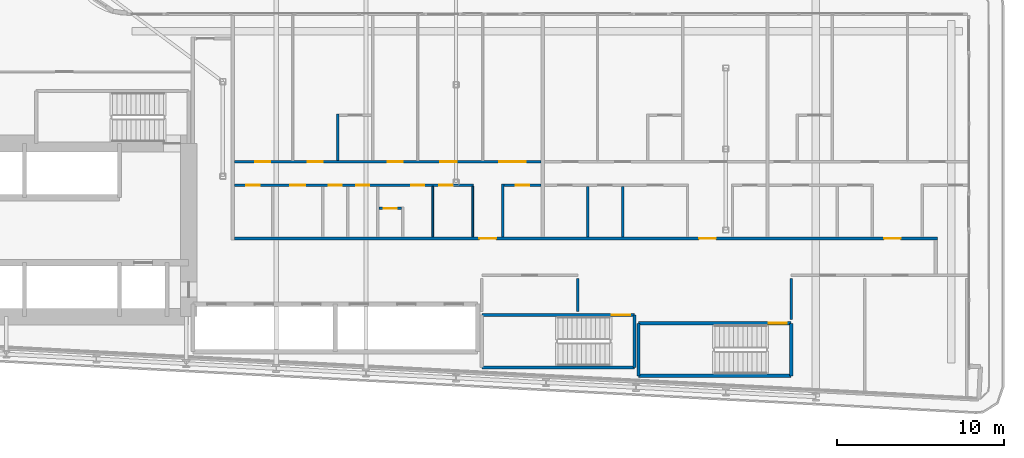
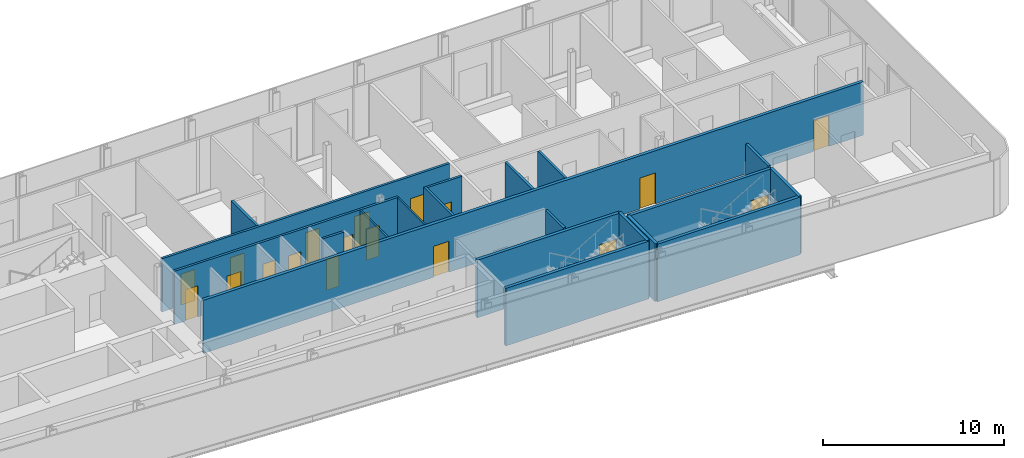
# One storey, part 16 of 29: 20 walls, 18 doors, 18 openings.
"""IFC4 building model written with IfcOpenShell, lengths in metres."""

from ifc_helpers import new_model, si_unit, direction, frame, frame_2d, origin, place, context, subcontext, project, spatial, rectangle, extrude, source, transform, mapped, material, layer, layer_set, type_object, element, fill, save


model = new_model("IFC4")

# Units and contexts
model_context = context("Model", 3, precision=1e-05, world=origin(), true_north=direction((0.0, 1.0)))
body_context = subcontext(model_context, "Body", "Model", "MODEL_VIEW")
ifc_project = project(units=[si_unit("LENGTHUNIT", "METRE"), si_unit("AREAUNIT", "SQUARE_METRE"), si_unit("VOLUMEUNIT", "CUBIC_METRE"), si_unit("PLANEANGLEUNIT", "RADIAN"), si_unit("MASSUNIT", "GRAM", prefix="KILO")], contexts=[model_context])

# Site, building, storey
site_placement = place(None, origin())
site = spatial("IfcSite", under=ifc_project, at=site_placement, CompositionType="ELEMENT")
building_placement = place(site_placement, origin())
building = spatial("IfcBuilding", under=site, at=building_placement, Name="Kheshtan School and Residences Tower", CompositionType="ELEMENT")
storey_placement = place(building_placement, frame((0.0, 0.0, 65.60009765625)))
storey = spatial("IfcBuildingStorey", under=building, at=storey_placement, Name="L15", CompositionType="ELEMENT", Elevation=65.60009765625)

# Wall, openings, doors
ifc_material_1 = material(Name="Gypsum board on steel studs with fire boards", Category="steel")
ifc_layer_1 = layer(ifc_material_1, 0.199951171875)
ifc_layer_set_1 = layer_set([ifc_layer_1], Name="Corridor wall 200")
wall_type_1 = type_object("IfcWallType", Name="Corridor wall 200", PredefinedType="PARTITIONING", material=ifc_layer_set_1)
wall_1_placement = place(storey_placement, frame((55.89990234375, 30.5, 0.0), z_axis=(0.0, 0.0, 1.0), x_axis=(1.0, 0.0, 0.0)))
wall_1 = element("IfcWall", 1, at=wall_1_placement, inside=storey, type_object=wall_type_1, Name="Partition L15-041", PredefinedType="PARTITIONING", context=body_context, shape_type="SweptSolid", body=[
    extrude(rectangle(XDim=42.2001953125, YDim=0.199951171875, at=frame_2d((21.10009765625, 0.0))), origin(), (0.0, 0.0, 1.0), 3.599853515625),
])
opening_1_placement = place(wall_1_placement, frame((14.699951171875, 0.0, 0.0)))
opening_1 = element("IfcOpeningElement", 2, at=opening_1_placement, cuts=wall_1, Name="Opening D14-007", PredefinedType="OPENING", context=body_context, shape_type="SweptSolid", body=[
    extrude(rectangle(XDim=1.0, YDim=2.10009765625, at=frame_2d((0.5, 1.050048828125))), frame((0.0, 0.10986328125, 0.0), z_axis=(0.0, -1.0, 0.0), x_axis=(1.0, 0.0, 0.0)), (0.0, 0.0, 1.0), 0.219970703125),
])
opening_2_placement = place(wall_1_placement, frame((27.89990234375, 0.0, 0.0)))
opening_2 = element("IfcOpeningElement", 3, at=opening_2_placement, cuts=wall_1, Name="Opening D14-019", PredefinedType="OPENING", context=body_context, shape_type="SweptSolid", body=[
    extrude(rectangle(XDim=1.0, YDim=2.10009765625, at=frame_2d((0.5, 1.050048828125))), frame((0.0, 0.10986328125, 0.0), z_axis=(0.0, -1.0, 0.0), x_axis=(1.0, 0.0, 0.0)), (0.0, 0.0, 1.0), 0.219970703125),
])
opening_3_placement = place(wall_1_placement, frame((39.0, 0.0, 0.0)))
opening_3 = element("IfcOpeningElement", 4, at=opening_3_placement, cuts=wall_1, Name="Opening D14-028", PredefinedType="OPENING", context=body_context, shape_type="SweptSolid", body=[
    extrude(rectangle(XDim=1.0, YDim=2.10009765625, at=frame_2d((0.5, 1.050048828125))), frame((0.0, 0.10986328125, 0.0), z_axis=(0.0, -1.0, 0.0), x_axis=(1.0, 0.0, 0.0)), (0.0, 0.0, 1.0), 0.219970703125),
])
ifc_material_2 = material(Name="Steel-framed fire-resisting door leaf", Category="steel")
door_type_1 = type_object("IfcDoorType", Name="Fire door FD30S 1000 x 2100", OperationType="SINGLE_SWING_LEFT", PredefinedType="DOOR", material=ifc_material_2)
shared_shape_1 = source(origin(), body_context, "Body", "SweptSolid", [
    extrude(rectangle(XDim=1.0, YDim=2.10009765625, at=frame_2d((0.5, 1.050048828125))), frame((0.0, 0.02490234375, 0.0), z_axis=(0.0, -1.0, 0.0), x_axis=(1.0, 0.0, 0.0)), (0.0, 0.0, 1.0), 0.050048828125),
])
door_1_placement = place(opening_1_placement, origin())
door_1 = element("IfcDoor", 5, at=door_1_placement, inside=storey, type_object=door_type_1, Name="Door D14-007", OperationType="SINGLE_SWING_LEFT", OverallHeight=2.10009765625, OverallWidth=1.0, PredefinedType="DOOR", context=body_context, shape_type="MappedRepresentation", body=[
    mapped(shared_shape_1, transform((0.0, 0.0, 0.0), x_axis=(1.0, 0.0, 0.0), y_axis=(0.0, 1.0, 0.0), z_axis=(0.0, 0.0, 1.0), scale=1.0)),
])
fill(opening_1, door_1)
door_2_placement = place(opening_2_placement, origin())
door_2 = element("IfcDoor", 6, at=door_2_placement, inside=storey, type_object=door_type_1, Name="Door D14-019", OperationType="SINGLE_SWING_LEFT", OverallHeight=2.10009765625, OverallWidth=1.0, PredefinedType="DOOR", context=body_context, shape_type="MappedRepresentation", body=[
    mapped(shared_shape_1, transform((0.0, 0.0, 0.0), x_axis=(1.0, 0.0, 0.0), y_axis=(0.0, 1.0, 0.0), z_axis=(0.0, 0.0, 1.0), scale=1.0)),
])
fill(opening_2, door_2)
door_3_placement = place(opening_3_placement, origin())
door_3 = element("IfcDoor", 7, at=door_3_placement, inside=storey, type_object=door_type_1, Name="Door D14-028", OperationType="SINGLE_SWING_LEFT", OverallHeight=2.10009765625, OverallWidth=1.0, PredefinedType="DOOR", context=body_context, shape_type="MappedRepresentation", body=[
    mapped(shared_shape_1, transform((0.0, 0.0, 0.0), x_axis=(1.0, 0.0, 0.0), y_axis=(0.0, 1.0, 0.0), z_axis=(0.0, 0.0, 1.0), scale=1.0)),
])
fill(opening_3, door_3)

# Walls
ifc_material_3 = material(Name="Gypsum board on steel studs", Category="steel")
ifc_layer_2 = layer(ifc_material_3, 0.10009765625)
ifc_layer_set_2 = layer_set([ifc_layer_2], Name="Gypsum partition 100")
wall_type_2 = type_object("IfcWallType", Name="Gypsum partition 100", PredefinedType="PARTITIONING", material=ifc_layer_set_2)
for number, where, z_axis, x_axis, name in (
    (8, (67.800048828125, 30.60009765625, 0.0), (0.0, 0.0, 1.0), (0.0, 1.0, 0.0), "Partition L15-055"),
    (9, (70.199951171875, 30.60009765625, 0.0), (0.0, 0.0, 1.0), (0.0, 1.0, 0.0), "Partition L15-056"),
):
    element("IfcWall", number, at=place(storey_placement, frame(where, z_axis=z_axis, x_axis=x_axis)), inside=storey, type_object=wall_type_2, Name=name, PredefinedType="PARTITIONING", context=body_context, shape_type="SweptSolid", body=[
        extrude(rectangle(XDim=3.02490234375, YDim=0.10009765625, at=frame_2d((1.512451171875, 0.0))), origin(), (0.0, 0.0, 1.0), 3.599853515625),
    ])
ifc_material_4 = material(Name="Fire-board shaft wall system")
ifc_layer_3 = layer(ifc_material_4, 0.14990234375)
ifc_layer_set_3 = layer_set([ifc_layer_3], Name="Service room wall 150")
wall_type_3 = type_object("IfcWallType", Name="Service room wall 150", PredefinedType="PARTITIONING", material=ifc_layer_set_3)
wall_2_placement = place(storey_placement, frame((76.510009765625, 26.1201171875, 0.0), z_axis=(0.0, 0.0, 1.0), x_axis=(0.0, 1.0, 0.0)))
element("IfcWall", 10, at=wall_2_placement, inside=storey, type_object=wall_type_3, Name="Service room wall", PredefinedType="PARTITIONING", context=body_context, shape_type="SweptSolid", body=[
    extrude(rectangle(XDim=1.98486328125, YDim=0.14990234375, at=frame_2d((0.992431640625, 0.0))), origin(), (0.0, 0.0, 1.0), 3.89990234375),
])
wall_3_placement = place(storey_placement, frame((89.320068359375, 25.6201171875, 0.0), z_axis=(0.0, 0.0, 1.0), x_axis=(0.0, 1.0, 0.0)))
element("IfcWall", 11, at=wall_3_placement, inside=storey, type_object=wall_type_3, Name="Service room wall", PredefinedType="PARTITIONING", context=body_context, shape_type="SweptSolid", body=[
    extrude(rectangle(XDim=2.48486328125, YDim=0.14990234375, at=frame_2d((1.242431640625, 0.0))), origin(), (0.0, 0.0, 1.0), 3.89990234375),
])
ifc_material_5 = material(Name="Concrete C40/50", Category="concrete")
ifc_layer_4 = layer(ifc_material_5, 0.199951171875)
ifc_layer_set_4 = layer_set([ifc_layer_4], Name="Stair enclosure wall 200 Concrete C40/50")
wall_type_4 = type_object("IfcWallType", Name="Stair enclosure wall 200 Concrete C40/50", PredefinedType="SHEAR", material=ifc_layer_set_4)
wall_4_placement = place(storey_placement, frame((80.159912109375, 22.25, 0.0), z_axis=(0.0, 0.0, 1.0), x_axis=(1.0, 0.0, 0.0)))
element("IfcWall", 12, at=wall_4_placement, inside=storey, type_object=wall_type_4, Name="Stair enclosure wall ST4", PredefinedType="SHEAR", context=body_context, shape_type="SweptSolid", body=[
    extrude(rectangle(XDim=9.16015625, YDim=0.199951171875, at=frame_2d((4.580078125, 0.0))), origin(), (0.0, 0.0, 1.0), 3.89990234375),
])

# Wall, opening, door
wall_5_placement = place(storey_placement, frame((80.159912109375, 25.39990234375, 0.0), z_axis=(0.0, 0.0, 1.0), x_axis=(1.0, 0.0, 0.0)))
wall_5 = element("IfcWall", 13, at=wall_5_placement, inside=storey, type_object=wall_type_4, Name="Stair enclosure wall ST4", PredefinedType="SHEAR", context=body_context, shape_type="SweptSolid", body=[
    extrude(rectangle(XDim=9.16015625, YDim=0.199951171875, at=frame_2d((4.580078125, 0.0))), origin(), (0.0, 0.0, 1.0), 3.89990234375),
])
opening_4_placement = place(wall_5_placement, frame((7.81005859375, 0.0, 0.0)))
opening_4 = element("IfcOpeningElement", 14, at=opening_4_placement, cuts=wall_5, Name="Opening ST4D", PredefinedType="OPENING", context=body_context, shape_type="SweptSolid", body=[
    extrude(rectangle(XDim=1.10009765625, YDim=2.199951171875, at=frame_2d((0.550048828125, 1.10009765625))), frame((0.0, 0.10986328125, 0.0), z_axis=(0.0, -1.0, 0.0), x_axis=(1.0, 0.0, 0.0)), (0.0, 0.0, 1.0), 0.219970703125),
])
ifc_material_6 = material(Name="Steel door leaf, galvanised", Category="steel")
door_type_2 = type_object("IfcDoorType", Name="Stair door 1100 steel 90 min", OperationType="SINGLE_SWING_LEFT", PredefinedType="DOOR", material=ifc_material_6)
shared_shape_2 = source(origin(), body_context, "Body", "SweptSolid", [
    extrude(rectangle(XDim=1.10009765625, YDim=2.199951171875, at=frame_2d((0.550048828125, 1.10009765625))), frame((0.0, 0.02490234375, 0.0), z_axis=(0.0, -1.0, 0.0), x_axis=(1.0, 0.0, 0.0)), (0.0, 0.0, 1.0), 0.050048828125),
])
door_4_placement = place(opening_4_placement, origin())
door_4 = element("IfcDoor", 15, at=door_4_placement, inside=storey, type_object=door_type_2, Name="Stair ST4 door", OperationType="SINGLE_SWING_LEFT", OverallHeight=2.199951171875, OverallWidth=1.10009765625, PredefinedType="DOOR", context=body_context, shape_type="MappedRepresentation", body=[
    mapped(shared_shape_2, transform((0.0, 0.0, 0.0), x_axis=(1.0, 0.0, 0.0), y_axis=(0.0, 1.0, 0.0), z_axis=(0.0, 0.0, 1.0), scale=1.0)),
])
fill(opening_4, door_4)

# Walls
for number, where, z_axis, x_axis, name in (
    (16, (80.159912109375, 22.25, 0.0), (0.0, 0.0, 1.0), (0.0, 1.0, 0.0), "Stair enclosure wall ST4"),
    (17, (89.320068359375, 22.25, 0.0), (0.0, 0.0, 1.0), (0.0, 1.0, 0.0), "Stair enclosure wall ST4"),
):
    element("IfcWall", number, at=place(storey_placement, frame(where, z_axis=z_axis, x_axis=x_axis)), inside=storey, type_object=wall_type_4, Name=name, PredefinedType="SHEAR", context=body_context, shape_type="SweptSolid", body=[
        extrude(rectangle(XDim=3.14990234375, YDim=0.199951171875, at=frame_2d((1.574951171875, 0.0))), origin(), (0.0, 0.0, 1.0), 3.89990234375),
    ])
wall_6_placement = place(storey_placement, frame((70.75, 22.75, 0.0), z_axis=(0.0, 0.0, 1.0), x_axis=(1.0, 0.0, 0.0)))
element("IfcWall", 18, at=wall_6_placement, inside=storey, type_object=wall_type_4, Name="Stair enclosure wall ST5", PredefinedType="SHEAR", context=body_context, shape_type="SweptSolid", body=[
    extrude(rectangle(XDim=9.159912109375, YDim=0.199951171875, at=frame_2d((4.580078125, 0.0))), origin(), (0.0, 0.0, 1.0), 3.89990234375),
])

# Wall, opening, door
wall_7_placement = place(storey_placement, frame((70.75, 25.89990234375, 0.0), z_axis=(0.0, 0.0, 1.0), x_axis=(1.0, 0.0, 0.0)))
wall_7 = element("IfcWall", 19, at=wall_7_placement, inside=storey, type_object=wall_type_4, Name="Stair enclosure wall ST5", PredefinedType="SHEAR", context=body_context, shape_type="SweptSolid", body=[
    extrude(rectangle(XDim=9.159912109375, YDim=0.199951171875, at=frame_2d((4.580078125, 0.0))), origin(), (0.0, 0.0, 1.0), 3.89990234375),
])
opening_5_placement = place(wall_7_placement, frame((7.81005859375, 0.0, 0.0)))
opening_5 = element("IfcOpeningElement", 20, at=opening_5_placement, cuts=wall_7, Name="Opening ST5D", PredefinedType="OPENING", context=body_context, shape_type="SweptSolid", body=[
    extrude(rectangle(XDim=1.10009765625, YDim=2.199951171875, at=frame_2d((0.550048828125, 1.10009765625))), frame((0.0, 0.10986328125, 0.0), z_axis=(0.0, -1.0, 0.0), x_axis=(1.0, 0.0, 0.0)), (0.0, 0.0, 1.0), 0.219970703125),
])
door_5_placement = place(opening_5_placement, origin())
door_5 = element("IfcDoor", 21, at=door_5_placement, inside=storey, type_object=door_type_2, Name="Stair ST5 door", OperationType="SINGLE_SWING_LEFT", OverallHeight=2.199951171875, OverallWidth=1.10009765625, PredefinedType="DOOR", context=body_context, shape_type="MappedRepresentation", body=[
    mapped(shared_shape_2, transform((0.0, 0.0, 0.0), x_axis=(1.0, 0.0, 0.0), y_axis=(0.0, 1.0, 0.0), z_axis=(0.0, 0.0, 1.0), scale=1.0)),
])
fill(opening_5, door_5)

# Wall
wall_8_placement = place(storey_placement, frame((79.909912109375, 22.75, 0.0), z_axis=(0.0, 0.0, 1.0), x_axis=(0.0, 1.0, 0.0)))
element("IfcWall", 22, at=wall_8_placement, inside=storey, type_object=wall_type_4, Name="Stair enclosure wall ST5", PredefinedType="SHEAR", context=body_context, shape_type="SweptSolid", body=[
    extrude(rectangle(XDim=3.14990234375, YDim=0.199951171875, at=frame_2d((1.574951171875, 0.0))), origin(), (0.0, 0.0, 1.0), 3.89990234375),
])

# Wall, openings, doors
ifc_material_7 = material(Name="Moisture-resistant gypsum board on steel studs", Category="steel")
ifc_layer_5 = layer(ifc_material_7, 0.14990234375)
ifc_layer_set_5 = layer_set([ifc_layer_5], Name="Wet-room partition 150")
wall_type_5 = type_object("IfcWallType", Name="Wet-room partition 150", PredefinedType="PARTITIONING", material=ifc_layer_set_5)
wall_9_placement = place(storey_placement, frame((55.89990234375, 33.699951171875, 0.0), z_axis=(0.0, 0.0, 1.0), x_axis=(1.0, 0.0, 0.0)))
wall_9 = element("IfcWall", 23, at=wall_9_placement, inside=storey, type_object=wall_type_5, Name="Partition L15-042", PredefinedType="PARTITIONING", context=body_context, shape_type="SweptSolid", body=[
    extrude(rectangle(XDim=14.35009765625, YDim=0.14990234375, at=frame_2d((7.175048828125, 0.0))), origin(), (0.0, 0.0, 1.0), 3.599853515625),
])
opening_6_placement = place(wall_9_placement, frame((0.699951171875, 0.0, 0.0)))
opening_6 = element("IfcOpeningElement", 24, at=opening_6_placement, cuts=wall_9, Name="Opening D14-001", PredefinedType="OPENING", context=body_context, shape_type="SweptSolid", body=[
    extrude(rectangle(XDim=0.800048828125, YDim=2.10009765625, at=frame_2d((0.39990234375, 1.050048828125))), frame((0.0, 0.0849609375, 0.0), z_axis=(0.0, -1.0, 0.0), x_axis=(1.0, 0.0, 0.0)), (0.0, 0.0, 1.0), 0.169921875),
])
opening_7_placement = place(wall_9_placement, frame((12.300048828125, 0.0, 0.0)))
opening_7 = element("IfcOpeningElement", 25, at=opening_7_placement, cuts=wall_9, Name="Opening D14-005", PredefinedType="OPENING", context=body_context, shape_type="SweptSolid", body=[
    extrude(rectangle(XDim=0.800048828125, YDim=2.10009765625, at=frame_2d((0.39990234375, 1.050048828125))), frame((0.0, 0.0849609375, 0.0), z_axis=(0.0, -1.0, 0.0), x_axis=(1.0, 0.0, 0.0)), (0.0, 0.0, 1.0), 0.169921875),
])
opening_8_placement = place(wall_9_placement, frame((3.35009765625, 0.0, 0.0)))
opening_8 = element("IfcOpeningElement", 26, at=opening_8_placement, cuts=wall_9, Name="Opening D14-008", PredefinedType="OPENING", context=body_context, shape_type="SweptSolid", body=[
    extrude(rectangle(XDim=0.89990234375, YDim=2.10009765625, at=frame_2d((0.449951171875, 1.050048828125))), frame((0.0, 0.0849609375, 0.0), z_axis=(0.0, -1.0, 0.0), x_axis=(1.0, 0.0, 0.0)), (0.0, 0.0, 1.0), 0.169921875),
])
opening_9_placement = place(wall_9_placement, frame((10.60009765625, 0.0, 0.0)))
opening_9 = element("IfcOpeningElement", 27, at=opening_9_placement, cuts=wall_9, Name="Opening D14-010", PredefinedType="OPENING", context=body_context, shape_type="SweptSolid", body=[
    extrude(rectangle(XDim=0.800048828125, YDim=2.10009765625, at=frame_2d((0.39990234375, 1.050048828125))), frame((0.0, 0.0849609375, 0.0), z_axis=(0.0, -1.0, 0.0), x_axis=(1.0, 0.0, 0.0)), (0.0, 0.0, 1.0), 0.169921875),
])
opening_10_placement = place(wall_9_placement, frame((7.300048828125, 0.0, 0.0)))
opening_10 = element("IfcOpeningElement", 28, at=opening_10_placement, cuts=wall_9, Name="Opening D14-014", PredefinedType="OPENING", context=body_context, shape_type="SweptSolid", body=[
    extrude(rectangle(XDim=0.800048828125, YDim=2.10009765625, at=frame_2d((0.39990234375, 1.050048828125))), frame((0.0, 0.0849609375, 0.0), z_axis=(0.0, -1.0, 0.0), x_axis=(1.0, 0.0, 0.0)), (0.0, 0.0, 1.0), 0.169921875),
])
opening_11_placement = place(wall_9_placement, frame((5.64990234375, 0.0, 0.0)))
opening_11 = element("IfcOpeningElement", 29, at=opening_11_placement, cuts=wall_9, Name="Opening D14-015", PredefinedType="OPENING", context=body_context, shape_type="SweptSolid", body=[
    extrude(rectangle(XDim=0.800048828125, YDim=2.10009765625, at=frame_2d((0.39990234375, 1.050048828125))), frame((0.0, 0.0849609375, 0.0), z_axis=(0.0, -1.0, 0.0), x_axis=(1.0, 0.0, 0.0)), (0.0, 0.0, 1.0), 0.169921875),
])
ifc_material_8 = material(Name="Veneered timber door leaf", Category="wood")
door_type_3 = type_object("IfcDoorType", Name="Door 800 x 2100", OperationType="SINGLE_SWING_LEFT", PredefinedType="DOOR", material=ifc_material_8)
shared_shape_3 = source(origin(), body_context, "Body", "SweptSolid", [
    extrude(rectangle(XDim=0.800048828125, YDim=2.10009765625, at=frame_2d((0.39990234375, 1.050048828125))), frame((0.0, 0.02490234375, 0.0), z_axis=(0.0, -1.0, 0.0), x_axis=(1.0, 0.0, 0.0)), (0.0, 0.0, 1.0), 0.050048828125),
])
door_6_placement = place(opening_6_placement, origin())
door_6 = element("IfcDoor", 30, at=door_6_placement, inside=storey, type_object=door_type_3, Name="Door D14-001", OperationType="SINGLE_SWING_RIGHT", OverallHeight=2.10009765625, OverallWidth=0.800048828125, PredefinedType="DOOR", context=body_context, shape_type="MappedRepresentation", body=[
    mapped(shared_shape_3, transform((0.0, 0.0, 0.0), x_axis=(1.0, 0.0, 0.0), y_axis=(0.0, 1.0, 0.0), z_axis=(0.0, 0.0, 1.0), scale=1.0)),
])
fill(opening_6, door_6)
door_7_placement = place(opening_7_placement, origin())
door_7 = element("IfcDoor", 31, at=door_7_placement, inside=storey, type_object=door_type_3, Name="Door D14-005", OperationType="SINGLE_SWING_RIGHT", OverallHeight=2.10009765625, OverallWidth=0.800048828125, PredefinedType="DOOR", context=body_context, shape_type="MappedRepresentation", body=[
    mapped(shared_shape_3, transform((0.0, 0.0, 0.0), x_axis=(1.0, 0.0, 0.0), y_axis=(0.0, 1.0, 0.0), z_axis=(0.0, 0.0, 1.0), scale=1.0)),
])
fill(opening_7, door_7)
door_8_placement = place(opening_9_placement, origin())
door_8 = element("IfcDoor", 32, at=door_8_placement, inside=storey, type_object=door_type_3, Name="Door D14-010", OperationType="SINGLE_SWING_LEFT", OverallHeight=2.10009765625, OverallWidth=0.800048828125, PredefinedType="DOOR", context=body_context, shape_type="MappedRepresentation", body=[
    mapped(shared_shape_3, transform((0.0, 0.0, 0.0), x_axis=(1.0, 0.0, 0.0), y_axis=(0.0, 1.0, 0.0), z_axis=(0.0, 0.0, 1.0), scale=1.0)),
])
fill(opening_9, door_8)
door_9_placement = place(opening_10_placement, origin())
door_9 = element("IfcDoor", 33, at=door_9_placement, inside=storey, type_object=door_type_3, Name="Door D14-014", OperationType="SINGLE_SWING_RIGHT", OverallHeight=2.10009765625, OverallWidth=0.800048828125, PredefinedType="DOOR", context=body_context, shape_type="MappedRepresentation", body=[
    mapped(shared_shape_3, transform((0.0, 0.0, 0.0), x_axis=(1.0, 0.0, 0.0), y_axis=(0.0, 1.0, 0.0), z_axis=(0.0, 0.0, 1.0), scale=1.0)),
])
fill(opening_10, door_9)
door_10_placement = place(opening_11_placement, origin())
door_10 = element("IfcDoor", 34, at=door_10_placement, inside=storey, type_object=door_type_3, Name="Door D14-015", OperationType="SINGLE_SWING_LEFT", OverallHeight=2.10009765625, OverallWidth=0.800048828125, PredefinedType="DOOR", context=body_context, shape_type="MappedRepresentation", body=[
    mapped(shared_shape_3, transform((0.0, 0.0, 0.0), x_axis=(1.0, 0.0, 0.0), y_axis=(0.0, 1.0, 0.0), z_axis=(0.0, 0.0, 1.0), scale=1.0)),
])
fill(opening_11, door_10)
door_type_4 = type_object("IfcDoorType", Name="Door 900 x 2100", OperationType="SINGLE_SWING_LEFT", PredefinedType="DOOR", material=ifc_material_8)
shared_shape_4 = source(origin(), body_context, "Body", "SweptSolid", [
    extrude(rectangle(XDim=0.89990234375, YDim=2.10009765625, at=frame_2d((0.449951171875, 1.050048828125))), frame((0.0, 0.02490234375, 0.0), z_axis=(0.0, -1.0, 0.0), x_axis=(1.0, 0.0, 0.0)), (0.0, 0.0, 1.0), 0.050048828125),
])
door_11_placement = place(opening_8_placement, origin())
door_11 = element("IfcDoor", 35, at=door_11_placement, inside=storey, type_object=door_type_4, Name="Door D14-008", OperationType="SINGLE_SWING_LEFT", OverallHeight=2.10009765625, OverallWidth=0.89990234375, PredefinedType="DOOR", context=body_context, shape_type="MappedRepresentation", body=[
    mapped(shared_shape_4, transform((0.0, 0.0, 0.0), x_axis=(1.0, 0.0, 0.0), y_axis=(0.0, 1.0, 0.0), z_axis=(0.0, 0.0, 1.0), scale=1.0)),
])
fill(opening_8, door_11)

wall_10_placement = place(storey_placement, frame((55.89990234375, 35.10009765625, 0.0), z_axis=(0.0, 0.0, 1.0), x_axis=(1.0, 0.0, 0.0)))
wall_10 = element("IfcWall", 36, at=wall_10_placement, inside=storey, type_object=wall_type_5, Name="Partition L15-043", PredefinedType="PARTITIONING", context=body_context, shape_type="SweptSolid", body=[
    extrude(rectangle(XDim=18.400146484375, YDim=0.14990234375, at=frame_2d((9.2001953125, 0.0))), origin(), (0.0, 0.0, 1.0), 3.599853515625),
])
opening_12_placement = place(wall_10_placement, frame((1.25, 0.0, 0.0)))
opening_12 = element("IfcOpeningElement", 37, at=opening_12_placement, cuts=wall_10, Name="Opening D14-003", PredefinedType="OPENING", context=body_context, shape_type="SweptSolid", body=[
    extrude(rectangle(XDim=0.89990234375, YDim=2.10009765625, at=frame_2d((0.449951171875, 1.050048828125))), frame((0.0, 0.0849609375, 0.0), z_axis=(0.0, -1.0, 0.0), x_axis=(1.0, 0.0, 0.0)), (0.0, 0.0, 1.0), 0.169921875),
])
opening_13_placement = place(wall_10_placement, frame((9.199951171875, 0.0, 0.0)))
opening_13 = element("IfcOpeningElement", 38, at=opening_13_placement, cuts=wall_10, Name="Opening D14-004", PredefinedType="OPENING", context=body_context, shape_type="SweptSolid", body=[
    extrude(rectangle(XDim=0.89990234375, YDim=2.10009765625, at=frame_2d((0.449951171875, 1.050048828125))), frame((0.0, 0.0849609375, 0.0), z_axis=(0.0, -1.0, 0.0), x_axis=(1.0, 0.0, 0.0)), (0.0, 0.0, 1.0), 0.169921875),
])
opening_14_placement = place(wall_10_placement, frame((12.35009765625, 0.0, 0.0)))
opening_14 = element("IfcOpeningElement", 39, at=opening_14_placement, cuts=wall_10, Name="Opening D14-009", PredefinedType="OPENING", context=body_context, shape_type="SweptSolid", body=[
    extrude(rectangle(XDim=1.0, YDim=2.10009765625, at=frame_2d((0.5, 1.050048828125))), frame((0.0, 0.0849609375, 0.0), z_axis=(0.0, -1.0, 0.0), x_axis=(1.0, 0.0, 0.0)), (0.0, 0.0, 1.0), 0.169921875),
])
opening_15_placement = place(wall_10_placement, frame((15.89990234375, 0.0, 0.0)))
opening_15 = element("IfcOpeningElement", 40, at=opening_15_placement, cuts=wall_10, Name="Opening D14-012", PredefinedType="OPENING", context=body_context, shape_type="SweptSolid", body=[
    extrude(rectangle(XDim=1.60009765625, YDim=2.10009765625, at=frame_2d((0.800048828125, 1.050048828125))), frame((0.0, 0.0849609375, 0.0), z_axis=(0.0, -1.0, 0.0), x_axis=(1.0, 0.0, 0.0)), (0.0, 0.0, 1.0), 0.169921875),
])
opening_16_placement = place(wall_10_placement, frame((4.39990234375, 0.0, 0.0)))
opening_16 = element("IfcOpeningElement", 41, at=opening_16_placement, cuts=wall_10, Name="Opening D14-013", PredefinedType="OPENING", context=body_context, shape_type="SweptSolid", body=[
    extrude(rectangle(XDim=0.89990234375, YDim=2.10009765625, at=frame_2d((0.449951171875, 1.050048828125))), frame((0.0, 0.0849609375, 0.0), z_axis=(0.0, -1.0, 0.0), x_axis=(1.0, 0.0, 0.0)), (0.0, 0.0, 1.0), 0.169921875),
])
door_type_5 = type_object("IfcDoorType", Name="Door 1000 x 2100", OperationType="SINGLE_SWING_LEFT", PredefinedType="DOOR", material=ifc_material_8)
shared_shape_5 = source(origin(), body_context, "Body", "SweptSolid", [
    extrude(rectangle(XDim=1.0, YDim=2.10009765625, at=frame_2d((0.5, 1.050048828125))), frame((0.0, 0.02490234375, 0.0), z_axis=(0.0, -1.0, 0.0), x_axis=(1.0, 0.0, 0.0)), (0.0, 0.0, 1.0), 0.050048828125),
])
door_12_placement = place(opening_14_placement, origin())
door_12 = element("IfcDoor", 42, at=door_12_placement, inside=storey, type_object=door_type_5, Name="Door D14-009", OperationType="SINGLE_SWING_LEFT", OverallHeight=2.10009765625, OverallWidth=1.0, PredefinedType="DOOR", context=body_context, shape_type="MappedRepresentation", body=[
    mapped(shared_shape_5, transform((0.0, 0.0, 0.0), x_axis=(1.0, 0.0, 0.0), y_axis=(0.0, 1.0, 0.0), z_axis=(0.0, 0.0, 1.0), scale=1.0)),
])
fill(opening_14, door_12)
door_13_placement = place(opening_12_placement, origin())
door_13 = element("IfcDoor", 43, at=door_13_placement, inside=storey, type_object=door_type_4, Name="Door D14-003", OperationType="SINGLE_SWING_LEFT", OverallHeight=2.10009765625, OverallWidth=0.89990234375, PredefinedType="DOOR", context=body_context, shape_type="MappedRepresentation", body=[
    mapped(shared_shape_4, transform((0.0, 0.0, 0.0), x_axis=(1.0, 0.0, 0.0), y_axis=(0.0, 1.0, 0.0), z_axis=(0.0, 0.0, 1.0), scale=1.0)),
])
fill(opening_12, door_13)
door_14_placement = place(opening_13_placement, origin())
door_14 = element("IfcDoor", 44, at=door_14_placement, inside=storey, type_object=door_type_4, Name="Door D14-004", OperationType="SINGLE_SWING_RIGHT", OverallHeight=2.10009765625, OverallWidth=0.89990234375, PredefinedType="DOOR", context=body_context, shape_type="MappedRepresentation", body=[
    mapped(shared_shape_4, transform((0.0, 0.0, 0.0), x_axis=(1.0, 0.0, 0.0), y_axis=(0.0, 1.0, 0.0), z_axis=(0.0, 0.0, 1.0), scale=1.0)),
])
fill(opening_13, door_14)
door_15_placement = place(opening_16_placement, origin())
door_15 = element("IfcDoor", 45, at=door_15_placement, inside=storey, type_object=door_type_4, Name="Door D14-013", OperationType="SINGLE_SWING_LEFT", OverallHeight=2.10009765625, OverallWidth=0.89990234375, PredefinedType="DOOR", context=body_context, shape_type="MappedRepresentation", body=[
    mapped(shared_shape_4, transform((0.0, 0.0, 0.0), x_axis=(1.0, 0.0, 0.0), y_axis=(0.0, 1.0, 0.0), z_axis=(0.0, 0.0, 1.0), scale=1.0)),
])
fill(opening_16, door_15)
door_type_6 = type_object("IfcDoorType", Name="Double door 1600 x 2100", OperationType="DOUBLE_DOOR_SINGLE_SWING", PredefinedType="DOOR", material=ifc_material_8)
shared_shape_6 = source(origin(), body_context, "Body", "SweptSolid", [
    extrude(rectangle(XDim=1.60009765625, YDim=2.10009765625, at=frame_2d((0.800048828125, 1.050048828125))), frame((0.0, 0.02490234375, 0.0), z_axis=(0.0, -1.0, 0.0), x_axis=(1.0, 0.0, 0.0)), (0.0, 0.0, 1.0), 0.050048828125),
])
door_16_placement = place(opening_15_placement, origin())
door_16 = element("IfcDoor", 46, at=door_16_placement, inside=storey, type_object=door_type_6, Name="Door D14-012", OperationType="DOUBLE_DOOR_SINGLE_SWING", OverallHeight=2.10009765625, OverallWidth=1.60009765625, PredefinedType="DOOR", context=body_context, shape_type="MappedRepresentation", body=[
    mapped(shared_shape_6, transform((0.0, 0.0, 0.0), x_axis=(1.0, 0.0, 0.0), y_axis=(0.0, 1.0, 0.0), z_axis=(0.0, 0.0, 1.0), scale=1.0)),
])
fill(opening_15, door_16)

# Wall
wall_11_placement = place(storey_placement, frame((62.10009765625, 35.175048828125, 0.0), z_axis=(0.0, 0.0, 1.0), x_axis=(0.0, 1.0, 0.0)))
element("IfcWall", 47, at=wall_11_placement, inside=storey, type_object=wall_type_5, Name="Partition L15-047", PredefinedType="PARTITIONING", context=body_context, shape_type="SweptSolid", body=[
    extrude(rectangle(XDim=2.800048828125, YDim=0.14990234375, at=frame_2d((1.39990234375, 0.0))), origin(), (0.0, 0.0, 1.0), 3.599853515625),
])

# Wall, opening, door
wall_12_placement = place(storey_placement, frame((64.574951171875, 32.300048828125, 0.0), z_axis=(0.0, 0.0, 1.0), x_axis=(1.0, 0.0, 0.0)))
wall_12 = element("IfcWall", 48, at=wall_12_placement, inside=storey, type_object=wall_type_5, Name="Partition L15-052", PredefinedType="PARTITIONING", context=body_context, shape_type="SweptSolid", body=[
    extrude(rectangle(XDim=1.35009765625, YDim=0.14990234375, at=frame_2d((0.675048828125, 0.0))), origin(), (0.0, 0.0, 1.0), 3.599853515625),
])
opening_17_placement = place(wall_12_placement, frame((0.27490234375, 0.0, 0.0)))
opening_17 = element("IfcOpeningElement", 49, at=opening_17_placement, cuts=wall_12, Name="Opening D14-011", PredefinedType="OPENING", context=body_context, shape_type="SweptSolid", body=[
    extrude(rectangle(XDim=0.800048828125, YDim=2.10009765625, at=frame_2d((0.39990234375, 1.050048828125))), frame((0.0, 0.0849609375, 0.0), z_axis=(0.0, -1.0, 0.0), x_axis=(1.0, 0.0, 0.0)), (0.0, 0.0, 1.0), 0.169921875),
])
door_17_placement = place(opening_17_placement, origin())
door_17 = element("IfcDoor", 50, at=door_17_placement, inside=storey, type_object=door_type_3, Name="Door D14-011", OperationType="SINGLE_SWING_RIGHT", OverallHeight=2.10009765625, OverallWidth=0.800048828125, PredefinedType="DOOR", context=body_context, shape_type="MappedRepresentation", body=[
    mapped(shared_shape_3, transform((0.0, 0.0, 0.0), x_axis=(1.0, 0.0, 0.0), y_axis=(0.0, 1.0, 0.0), z_axis=(0.0, 0.0, 1.0), scale=1.0)),
])
fill(opening_17, door_17)

# Wall
wall_13_placement = place(storey_placement, frame((72.0, 30.60009765625, 0.0), z_axis=(0.0, 0.0, 1.0), x_axis=(0.0, 1.0, 0.0)))
element("IfcWall", 51, at=wall_13_placement, inside=storey, type_object=wall_type_5, Name="Partition L15-058", PredefinedType="PARTITIONING", context=body_context, shape_type="SweptSolid", body=[
    extrude(rectangle(XDim=3.1748046875, YDim=0.14990234375, at=frame_2d((1.58740234375, 0.0))), origin(), (0.0, 0.0, 1.0), 3.599853515625),
])

# Wall, opening, door
wall_14_placement = place(storey_placement, frame((72.074951171875, 33.699951171875, 0.0), z_axis=(0.0, 0.0, 1.0), x_axis=(1.0, 0.0, 0.0)))
wall_14 = element("IfcWall", 52, at=wall_14_placement, inside=storey, type_object=wall_type_5, Name="Partition L15-059", PredefinedType="PARTITIONING", context=body_context, shape_type="SweptSolid", body=[
    extrude(rectangle(XDim=2.22509765625, YDim=0.14990234375, at=frame_2d((1.112548828125, 0.0))), origin(), (0.0, 0.0, 1.0), 3.599853515625),
])
opening_18_placement = place(wall_14_placement, frame((0.72509765625, 0.0, 0.0)))
opening_18 = element("IfcOpeningElement", 53, at=opening_18_placement, cuts=wall_14, Name="Opening D14-002", PredefinedType="OPENING", context=body_context, shape_type="SweptSolid", body=[
    extrude(rectangle(XDim=0.800048828125, YDim=2.10009765625, at=frame_2d((0.39990234375, 1.050048828125))), frame((0.0, 0.0849609375, 0.0), z_axis=(0.0, -1.0, 0.0), x_axis=(1.0, 0.0, 0.0)), (0.0, 0.0, 1.0), 0.169921875),
])
door_18_placement = place(opening_18_placement, origin())
door_18 = element("IfcDoor", 54, at=door_18_placement, inside=storey, type_object=door_type_3, Name="Door D14-002", OperationType="SINGLE_SWING_RIGHT", OverallHeight=2.10009765625, OverallWidth=0.800048828125, PredefinedType="DOOR", context=body_context, shape_type="MappedRepresentation", body=[
    mapped(shared_shape_3, transform((0.0, 0.0, 0.0), x_axis=(1.0, 0.0, 0.0), y_axis=(0.0, 1.0, 0.0), z_axis=(0.0, 0.0, 1.0), scale=1.0)),
])
fill(opening_18, door_18)

# Walls
for number, where, z_axis, x_axis, name in (
    (55, (77.10009765625, 30.60009765625, 0.0), (0.0, 0.0, 1.0), (0.0, 1.0, 0.0), "Partition L15-063"),
    (56, (79.199951171875, 30.60009765625, 0.0), (0.0, 0.0, 1.0), (0.0, 1.0, 0.0), "Partition L15-065"),
):
    element("IfcWall", number, at=place(storey_placement, frame(where, z_axis=z_axis, x_axis=x_axis)), inside=storey, type_object=wall_type_5, Name=name, PredefinedType="PARTITIONING", context=body_context, shape_type="SweptSolid", body=[
        extrude(rectangle(XDim=3.02490234375, YDim=0.14990234375, at=frame_2d((1.512451171875, 0.0))), origin(), (0.0, 0.0, 1.0), 3.599853515625),
    ])

save(model, "model.ifc")
